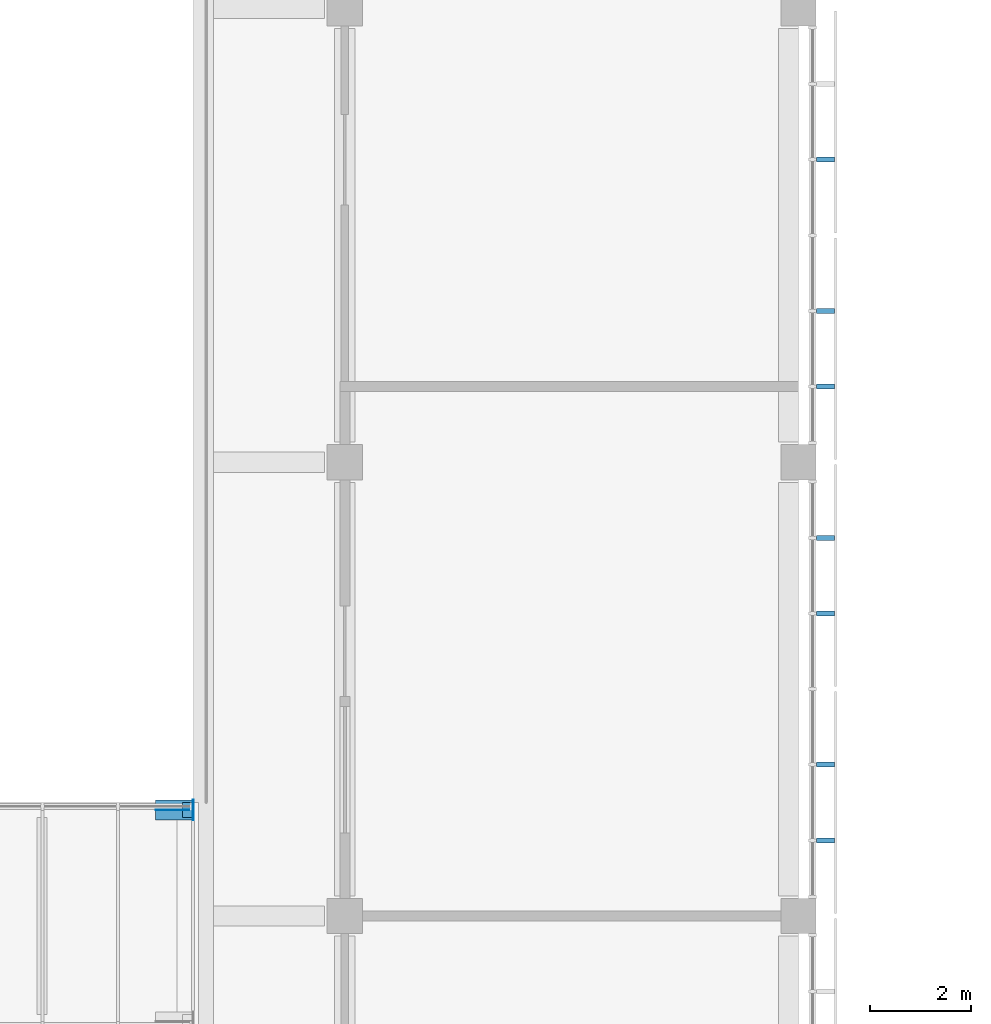
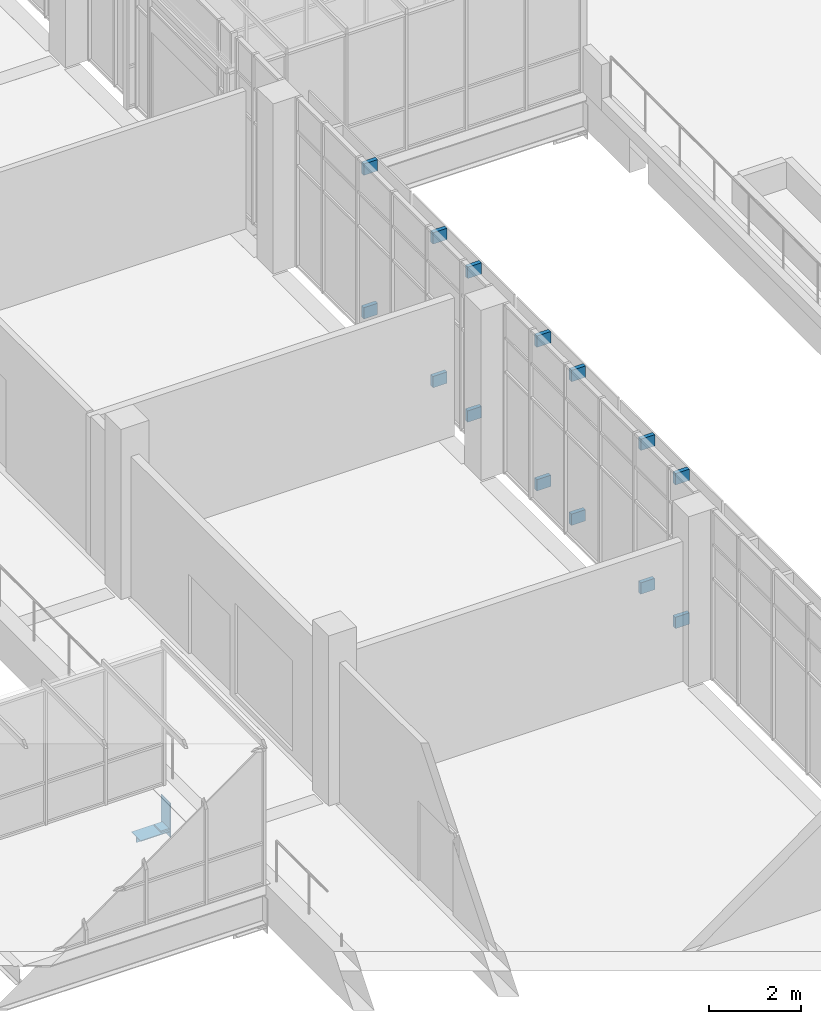
# One storey, part 88 of 106: 18 discrete accessories.
"""IFC4 building model written with IfcOpenShell, lengths in metres."""

from ifc_helpers import new_model, si_unit, direction, frame, origin, origin_2d, place, context, subcontext, project, spatial, rectangle, extrude, material, layer, layer_set, type_object, element, save


model = new_model("IFC4")

# Units and contexts
model_context = context("Model", 3, precision=1e-05, world=origin(), true_north=direction((0.0, 1.0)))
body_context = subcontext(model_context, "Body", "Model", "MODEL_VIEW")
ifc_project = project(units=[si_unit("LENGTHUNIT", "METRE"), si_unit("AREAUNIT", "SQUARE_METRE"), si_unit("VOLUMEUNIT", "CUBIC_METRE"), si_unit("PLANEANGLEUNIT", "RADIAN"), si_unit("MASSUNIT", "GRAM", prefix="KILO")], contexts=[model_context])

# Site, building, storey
site_placement = place(None, origin())
site = spatial("IfcSite", under=ifc_project, at=site_placement, CompositionType="ELEMENT")
building_placement = place(site_placement, origin())
building = spatial("IfcBuilding", under=site, at=building_placement, Name="Guidao Yard Department Store", CompositionType="ELEMENT")
storey_placement = place(building_placement, frame((0.0, 0.0, 10.5)))
storey = spatial("IfcBuildingStorey", under=building, at=storey_placement, Name="L02", CompositionType="ELEMENT", Elevation=10.5)

# Discrete accessories
ifc_material_1 = material(Name="Steel Q355B", Category="steel")
discrete_accessory_type_1 = type_object("IfcDiscreteAccessoryType", Name="Bracket BR2 steel plate", PredefinedType="BRACKET", material=ifc_material_1)
for number, where, z_axis, x_axis, name in (
    (1, (108.534912109375, 64.5, 0.2001953125), (0.0, 0.0, 1.0), (0.0, -1.0, 0.0), "Screen bracket"),
    (2, (108.534912109375, 64.5, 4.0), (0.0, 0.0, 1.0), (0.0, -1.0, 0.0), "Screen bracket"),
    (3, (108.534912109375, 66.0, 0.2001953125), (0.0, 0.0, 1.0), (0.0, -1.0, 0.0), "Screen bracket"),
    (4, (108.534912109375, 66.0, 4.0), (0.0, 0.0, 1.0), (0.0, -1.0, 0.0), "Screen bracket"),
    (5, (108.534912109375, 69.0, 0.2001953125), (0.0, 0.0, 1.0), (0.0, -1.0, 0.0), "Screen bracket"),
    (6, (108.534912109375, 69.0, 4.0), (0.0, 0.0, 1.0), (0.0, -1.0, 0.0), "Screen bracket"),
    (7, (108.534912109375, 70.5, 0.2001953125), (0.0, 0.0, 1.0), (0.0, -1.0, 0.0), "Screen bracket"),
    (8, (108.534912109375, 70.5, 4.0), (0.0, 0.0, 1.0), (0.0, -1.0, 0.0), "Screen bracket"),
    (9, (108.534912109375, 73.5, 0.2001953125), (0.0, 0.0, 1.0), (0.0, -1.0, 0.0), "Screen bracket"),
    (10, (108.534912109375, 73.5, 4.0), (0.0, 0.0, 1.0), (0.0, -1.0, 0.0), "Screen bracket"),
    (11, (108.534912109375, 75.0, 0.2001953125), (0.0, 0.0, 1.0), (0.0, -1.0, 0.0), "Screen bracket"),
    (12, (108.534912109375, 75.0, 4.0), (0.0, 0.0, 1.0), (0.0, -1.0, 0.0), "Screen bracket"),
    (13, (108.534912109375, 78.0, 0.2001953125), (0.0, 0.0, 1.0), (0.0, -1.0, 0.0), "Screen bracket"),
    (14, (108.534912109375, 78.0, 4.0), (0.0, 0.0, 1.0), (0.0, -1.0, 0.0), "Screen bracket"),
):
    element("IfcDiscreteAccessory", number, at=place(storey_placement, frame(where, z_axis=z_axis, x_axis=x_axis)), inside=storey, type_object=discrete_accessory_type_1, Name=name, PredefinedType="BRACKET", context=body_context, shape_type="SweptSolid", body=[
        extrude(rectangle(XDim=0.10009765625, YDim=0.35009765625, at=origin_2d()), origin(), (0.0, 0.0, 1.0), 0.300048828125),
    ])
ifc_material_2 = material(Name="Steel Q355B", Category="steel")
ifc_layer_1 = layer(ifc_material_2, 0.014892578125)
ifc_layer_set_1 = layer_set([ifc_layer_1], Name="Bridge girder back plate SB1 steel")
discrete_accessory_type_2 = type_object("IfcDiscreteAccessoryType", Name="Bridge girder back plate SB1 steel", PredefinedType="BRACKET", material=ifc_layer_set_1)
discrete_accessory_1_placement = place(storey_placement, frame((95.992431640625, 65.10009765625, -1.259765625), z_axis=(0.0, 0.0, 1.0), x_axis=(1.0, 0.0, 0.0)))
element("IfcDiscreteAccessory", 15, at=discrete_accessory_1_placement, inside=storey, type_object=discrete_accessory_type_2, Name="Bridge girder back plate BR11N S", PredefinedType="BRACKET", context=body_context, shape_type="SweptSolid", body=[
    extrude(rectangle(XDim=0.014892578125, YDim=0.39990234375, at=origin_2d()), origin(), (0.0, 0.0, 1.0), 0.909912109375),
])
ifc_material_3 = material(Name="Steel Q355B", Category="steel")
ifc_layer_2 = layer(ifc_material_3, 0.02001953125)
ifc_layer_set_2 = layer_set([ifc_layer_2], Name="Bridge girder seat plate SP1 steel 750")
discrete_accessory_type_3 = type_object("IfcDiscreteAccessoryType", Name="Bridge girder seat plate SP1 steel 750", PredefinedType="BRACKET", material=ifc_layer_set_2)
discrete_accessory_2_placement = place(storey_placement, frame((95.617431640625, 65.10009765625, -1.110107421875), z_axis=(0.0, 0.0, 1.0), x_axis=(1.0, 0.0, 0.0)))
element("IfcDiscreteAccessory", 16, at=discrete_accessory_2_placement, inside=storey, type_object=discrete_accessory_type_3, Name="Bridge girder seat plate BR11N S", PredefinedType="BRACKET", context=body_context, shape_type="SweptSolid", body=[
    extrude(rectangle(XDim=0.735107421875, YDim=0.39990234375, at=origin_2d()), origin(), (0.0, 0.0, 1.0), 0.02001953125),
])
ifc_material_4 = material(Name="Steel Q355B", Category="steel")
ifc_layer_3 = layer(ifc_material_4, 0.01611328125)
ifc_layer_set_3 = layer_set([ifc_layer_3], Name="Bridge girder seat rib SR1 steel 16")
discrete_accessory_type_4 = type_object("IfcDiscreteAccessoryType", Name="Bridge girder seat rib SR1 steel 16", PredefinedType="BRACKET", material=ifc_layer_set_3)
discrete_accessory_3_placement = place(storey_placement, frame((95.610107421875, 65.10009765625, -1.260009765625), z_axis=(0.0, 0.0, 1.0), x_axis=(1.0, 0.0, 0.0)))
element("IfcDiscreteAccessory", 17, at=discrete_accessory_3_placement, inside=storey, type_object=discrete_accessory_type_4, Name="Bridge girder seat rib BR11N S", PredefinedType="BRACKET", context=body_context, shape_type="SweptSolid", body=[
    extrude(rectangle(XDim=0.719970703125, YDim=0.01611328125, at=origin_2d()), origin(), (0.0, 0.0, 1.0), 0.14990234375),
])
ifc_material_5 = material(Name="Steel Q355B", Category="steel")
ifc_layer_4 = layer(ifc_material_5, 0.0400390625)
ifc_layer_set_4 = layer_set([ifc_layer_4], Name="Bridge girder sliding bearing BS1 PTFE on steel")
discrete_accessory_type_5 = type_object("IfcDiscreteAccessoryType", Name="Bridge girder sliding bearing BS1 PTFE on steel", PredefinedType="SHOE", material=ifc_layer_set_4)
discrete_accessory_4_placement = place(storey_placement, frame((95.885009765625, 65.10009765625, -1.090087890625), z_axis=(0.0, 0.0, 1.0), x_axis=(1.0, 0.0, 0.0)))
element("IfcDiscreteAccessory", 18, at=discrete_accessory_4_placement, inside=storey, type_object=discrete_accessory_type_5, Name="Bridge girder sliding bearing BR11N", PredefinedType="SHOE", context=body_context, shape_type="SweptSolid", body=[
    extrude(rectangle(XDim=0.199951171875, YDim=0.300048828125, at=origin_2d()), origin(), (0.0, 0.0, 1.0), 0.0400390625),
])

save(model, "model.ifc")
